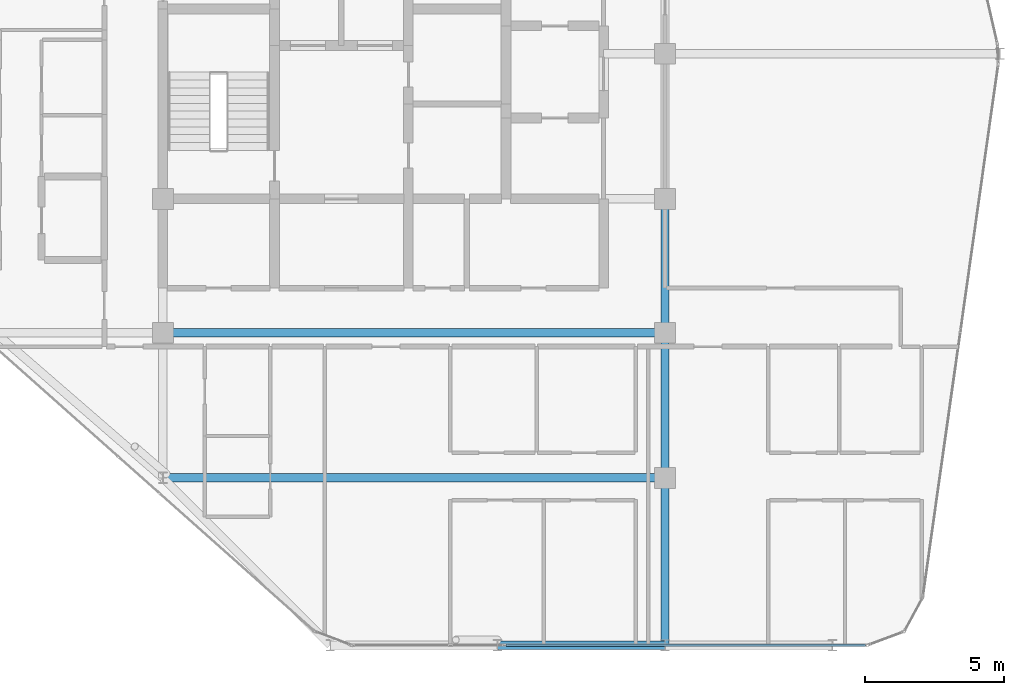
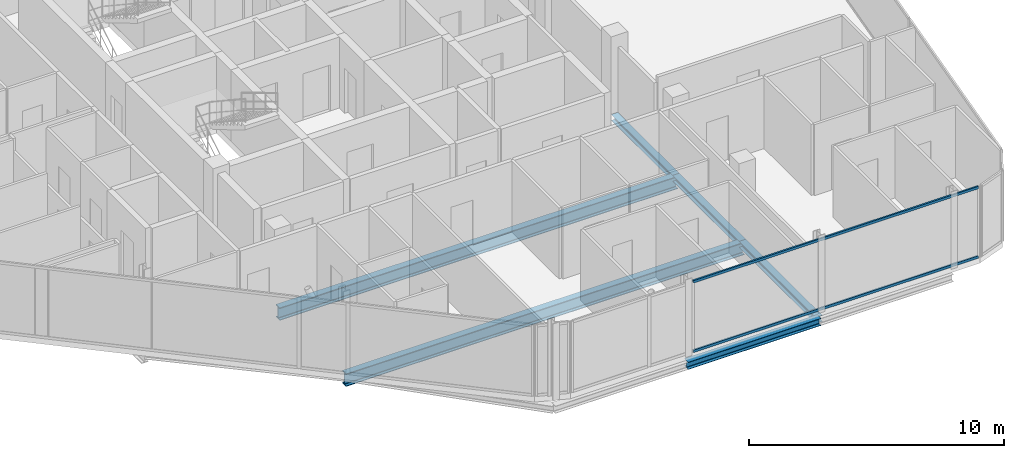
# One storey, part 7 of 27: 6 beams, 2 members, 1 element without a shape of its own.
"""IFC4 building model written with IfcOpenShell, lengths in metres."""

from ifc_helpers import new_model, si_unit, direction, frame, origin, origin_2d, place, context, subcontext, project, spatial, hollow_rectangle, i_section, extrude, material, layer, layer_set, material_profile, profile_set, type_object, element, aggregate, save


model = new_model("IFC4")

# Units and contexts
model_context = context("Model", 3, precision=1e-05, world=origin(), true_north=direction((0.0, 1.0)))
body_context = subcontext(model_context, "Body", "Model", "MODEL_VIEW")
ifc_project = project(units=[si_unit("LENGTHUNIT", "METRE"), si_unit("AREAUNIT", "SQUARE_METRE"), si_unit("VOLUMEUNIT", "CUBIC_METRE"), si_unit("PLANEANGLEUNIT", "RADIAN"), si_unit("MASSUNIT", "GRAM", prefix="KILO")], contexts=[model_context])

# Site, building, storey
site_placement = place(None, origin())
site = spatial("IfcSite", under=ifc_project, at=site_placement, CompositionType="ELEMENT")
building_placement = place(site_placement, origin())
building = spatial("IfcBuilding", under=site, at=building_placement, Name="Keshet Zoharim Tower", CompositionType="ELEMENT")
storey_placement = place(building_placement, frame((0.0, 0.0, 254.699951171875)))
storey = spatial("IfcBuildingStorey", under=building, at=storey_placement, Name="L63", CompositionType="ELEMENT", Elevation=254.699951171875)

# Beams
ifc_material_1 = material(Name="Steel S355", Category="steel")
ifc_material_profile_1 = material_profile(ifc_material_1, i_section(OverallWidth=0.300048828125, OverallDepth=0.60009765625, WebThickness=0.015380859375, FlangeThickness=0.030029296875, FilletRadius=0.027099609375, at=origin_2d()), Name="HEB600")
ifc_profile_set_1 = profile_set([ifc_material_profile_1], Name="Steel S355")
beam_type_1 = type_object("IfcBeamType", Name="BM-LNG-HB600", PredefinedType="BEAM", material=ifc_profile_set_1)
for number, where, z_axis, x_axis, name in (
    (1, (15.0, 12.699951171875, -0.60986328125), (1.0, 0.0, 0.0), (0.0, 1.0, 0.0), "L63 Primary Girder X-004"),
    (2, (15.0, 17.89990234375, -0.60986328125), (1.0, 0.0, 0.0), (0.0, 1.0, 0.0), "L63 Primary Girder X-006"),
):
    element("IfcBeam", number, at=place(storey_placement, frame(where, z_axis=z_axis, x_axis=x_axis)), inside=storey, type_object=beam_type_1, Name=name, PredefinedType="BEAM", context=body_context, shape_type="SweptSolid", body=[
        extrude(i_section(OverallWidth=0.300048828125, OverallDepth=0.60009765625, WebThickness=0.015380859375, FlangeThickness=0.030029296875, FilletRadius=0.027099609375, at=origin_2d()), origin(), (0.0, 0.0, 1.0), 18.0),
    ])
ifc_material_profile_2 = material_profile(ifc_material_1, i_section(OverallWidth=0.300048828125, OverallDepth=0.2900390625, WebThickness=0.008544921875, FlangeThickness=0.013916015625, FilletRadius=0.027099609375, at=origin_2d()), Name="HEA300")
ifc_profile_set_2 = profile_set([ifc_material_profile_2], Name="Steel S355")
beam_type_2 = type_object("IfcBeamType", Name="BM-PRI-HA300", PredefinedType="BEAM", material=ifc_profile_set_2)
beam_1_placement = place(storey_placement, frame((33.0, 6.699951171875, -0.454833984375), z_axis=(0.0, 1.0, 0.0), x_axis=(-1.0, 0.0, 0.0)))
element("IfcBeam", 3, at=beam_1_placement, inside=storey, type_object=beam_type_2, Name="L63 Primary Girder Y-004", PredefinedType="BEAM", context=body_context, shape_type="SweptSolid", body=[
    extrude(i_section(OverallWidth=0.300048828125, OverallDepth=0.2900390625, WebThickness=0.008544921875, FlangeThickness=0.013916015625, FilletRadius=0.027099609375, at=origin_2d()), origin(), (0.0, 0.0, 1.0), 6.0),
])
beam_2_placement = place(storey_placement, frame((33.0, 12.699951171875, -0.454833984375), z_axis=(0.0, 1.0, 0.0), x_axis=(-1.0, 0.0, 0.0)))
element("IfcBeam", 4, at=beam_2_placement, inside=storey, type_object=beam_type_2, Name="L63 Primary Girder Y-005", PredefinedType="BEAM", context=body_context, shape_type="SweptSolid", body=[
    extrude(i_section(OverallWidth=0.300048828125, OverallDepth=0.2900390625, WebThickness=0.008544921875, FlangeThickness=0.013916015625, FilletRadius=0.027099609375, at=origin_2d()), origin(), (0.0, 0.0, 1.0), 5.199951171875),
])
beam_3_placement = place(storey_placement, frame((33.0, 17.89990234375, -0.454833984375), z_axis=(0.0, 1.0, 0.0), x_axis=(-1.0, 0.0, 0.0)))
element("IfcBeam", 5, at=beam_3_placement, inside=storey, type_object=beam_type_2, Name="L63 Primary Girder Y-006", PredefinedType="BEAM", context=body_context, shape_type="SweptSolid", body=[
    extrude(i_section(OverallWidth=0.300048828125, OverallDepth=0.2900390625, WebThickness=0.008544921875, FlangeThickness=0.013916015625, FilletRadius=0.027099609375, at=origin_2d()), origin(), (0.0, 0.0, 1.0), 4.800048828125),
])
ifc_material_profile_3 = material_profile(ifc_material_1, i_section(OverallWidth=0.300048828125, OverallDepth=0.35009765625, WebThickness=0.010009765625, FlangeThickness=0.017578125, FilletRadius=0.027099609375, at=origin_2d()), Name="HEA360")
ifc_profile_set_3 = profile_set([ifc_material_profile_3], Name="Steel S355")
beam_type_3 = type_object("IfcBeamType", Name="BM-PRI-HA360", PredefinedType="BEAM", material=ifc_profile_set_3)
beam_4_placement = place(storey_placement, frame((27.0, 6.699951171875, -0.48486328125), z_axis=(1.0, 0.0, 0.0), x_axis=(0.0, 1.0, 0.0)))
element("IfcBeam", 6, at=beam_4_placement, inside=storey, type_object=beam_type_3, Name="L63 Primary Girder X-002", PredefinedType="BEAM", context=body_context, shape_type="SweptSolid", body=[
    extrude(i_section(OverallWidth=0.300048828125, OverallDepth=0.35009765625, WebThickness=0.010009765625, FlangeThickness=0.017578125, FilletRadius=0.027099609375, at=origin_2d()), origin(), (0.0, 0.0, 1.0), 6.0),
])

# Curtain wall, members
ifc_material_2 = material(Name="Aluminium 6063-T6", Category="aluminium")
ifc_layer = layer(ifc_material_2, 0.260009765625)
ifc_layer_set = layer_set([ifc_layer], Name="Aluminium 6063-T6")
curtain_wall_type = type_object("IfcCurtainWallType", Name="CW-SYS-06", PredefinedType="NOTDEFINED", material=ifc_layer_set)
curtain_wall_placement = place(storey_placement, origin())
curtain_wall = element("IfcCurtainWall", 7, at=curtain_wall_placement, inside=storey, type_object=curtain_wall_type, Name="L63 Unitised Curtain Wall 14", PredefinedType="NOTDEFINED")
ifc_material_profile_4 = material_profile(ifc_material_2, hollow_rectangle(XDim=0.074951171875, YDim=0.1201171875, WallThickness=0.00390625, at=origin_2d()), Name="TRN-75x120")
ifc_profile_set_4 = profile_set([ifc_material_profile_4], Name="Aluminium 6063-T6")
member_type = type_object("IfcMemberType", Name="CWT-T12", PredefinedType="USERDEFINED", material=ifc_profile_set_4)
member_1_placement = place(storey_placement, frame((40.193115234375, 6.699951171875, 0.03515625), z_axis=(-1.0, 0.0, 0.0), x_axis=(0.0, -1.0, 0.0)))
member_1 = element("IfcMember", 8, at=member_1_placement, type_object=member_type, Name="CW-06 transom 1.1", ObjectType="TRANSOM", PredefinedType="USERDEFINED", context=body_context, shape_type="SweptSolid", body=[
    extrude(hollow_rectangle(XDim=0.074951171875, YDim=0.1201171875, WallThickness=0.00390625, at=origin_2d()), origin(), (0.0, 0.0, 1.0), 12.898193359375),
])
member_2_placement = place(storey_placement, frame((40.193115234375, 6.699951171875, 3.35498046875), z_axis=(-1.0, 0.0, 0.0), x_axis=(0.0, -1.0, 0.0)))
member_2 = element("IfcMember", 9, at=member_2_placement, type_object=member_type, Name="CW-06 transom 1.2", ObjectType="TRANSOM", PredefinedType="USERDEFINED", context=body_context, shape_type="SweptSolid", body=[
    extrude(hollow_rectangle(XDim=0.074951171875, YDim=0.1201171875, WallThickness=0.00390625, at=origin_2d()), origin(), (0.0, 0.0, 1.0), 12.898193359375),
])
aggregate(curtain_wall, [member_1, member_2])

save(model, "model.ifc")
